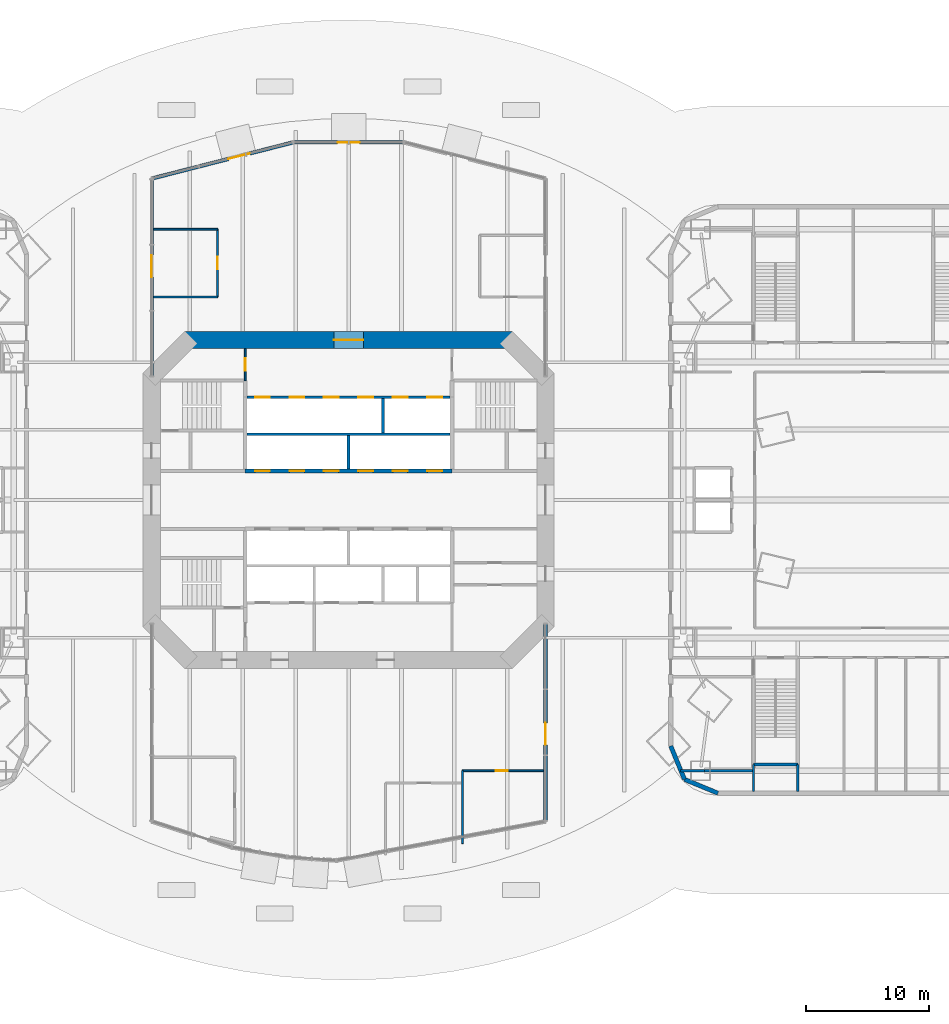
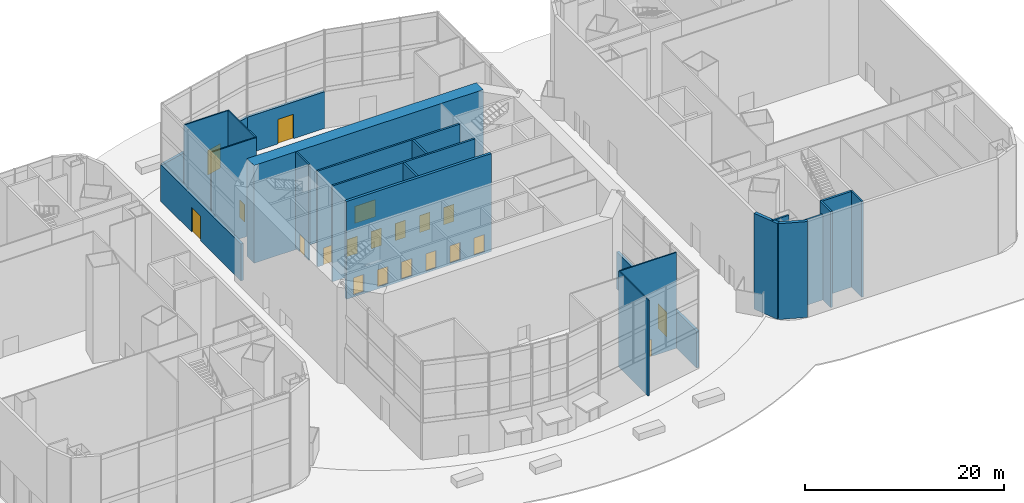
# One storey, part 14 of 23: 23 walls, 20 doors, 20 openings.
"""IFC4 building model written with IfcOpenShell, lengths in metres."""

from ifc_helpers import new_model, si_unit, direction, frame, frame_2d, origin, place, context, subcontext, project, spatial, rectangle, extrude, material, layer, layer_set, type_object, element, fill, save


model = new_model("IFC4")

# Units and contexts
model_context = context("Model", 3, precision=1e-05, world=origin(), true_north=direction((0.0, 1.0)))
body_context = subcontext(model_context, "Body", "Model", "MODEL_VIEW")
ifc_project = project(units=[si_unit("LENGTHUNIT", "METRE"), si_unit("AREAUNIT", "SQUARE_METRE"), si_unit("VOLUMEUNIT", "CUBIC_METRE"), si_unit("PLANEANGLEUNIT", "RADIAN"), si_unit("MASSUNIT", "GRAM", prefix="KILO")], contexts=[model_context])

# Site, building, storey
site_placement = place(None, origin())
site = spatial("IfcSite", under=ifc_project, at=site_placement, CompositionType="ELEMENT")
building_placement = place(site_placement, origin())
building = spatial("IfcBuilding", under=site, at=building_placement, Name="Marenthal Gate Tower", CompositionType="ELEMENT")
storey_placement = place(building_placement, origin())
storey = spatial("IfcBuildingStorey", under=building, at=storey_placement, Name="L00", CompositionType="ELEMENT", Elevation=0.0)

# Wall, opening, door
ifc_material_1 = material(Name="Concrete 60 MPa", Category="concrete")
ifc_layer_1 = layer(ifc_material_1, 1.39990234375)
ifc_layer_set_1 = layer_set([ifc_layer_1], Name="Core shear wall 1400")
wall_type_1 = type_object("IfcWallType", Name="Core shear wall 1400", PredefinedType="SHEAR", material=ifc_layer_set_1)
wall_1_placement = place(storey_placement, frame((13.289794921875, 13.0, -0.25), z_axis=(0.0, 0.0, 1.0), x_axis=(-1.0, 0.0, 0.0)))
wall_1 = element("IfcWall", 1, at=wall_1_placement, inside=storey, type_object=wall_type_1, Name="Core wall 04", PredefinedType="SHEAR", context=body_context, shape_type="SweptSolid", body=[
    extrude(rectangle(XDim=26.57958984375, YDim=1.39990234375, at=frame_2d((13.289794921875, 0.0))), origin(), (0.0, 0.0, 1.0), 12.0),
])
opening_1_placement = place(wall_1_placement, frame((12.08984375, 0.0, 0.25)))
opening_1 = element("IfcOpeningElement", 2, at=opening_1_placement, cuts=wall_1, Name="Opening D003.03", PredefinedType="OPENING", context=body_context, shape_type="SweptSolid", body=[
    extrude(rectangle(XDim=2.39990234375, YDim=2.10009765625, at=frame_2d((1.199951171875, 1.050048828125))), frame((0.0, 0.7099609375, 0.0), z_axis=(0.0, -1.0, 0.0), x_axis=(1.0, 0.0, 0.0)), (0.0, 0.0, 1.0), 1.419921875),
])
ifc_material_2 = material(Name="Steel fire door", Category="steel")
door_type_1 = type_object("IfcDoorType", Name="Double fire door FD 45 2400 x 2100", OperationType="DOUBLE_DOOR_SINGLE_SWING", PredefinedType="DOOR", material=ifc_material_2)
door_1_placement = place(opening_1_placement, origin())
door_1 = element("IfcDoor", 3, at=door_1_placement, inside=storey, type_object=door_type_1, Name="Door D003.03", OperationType="DOUBLE_DOOR_SINGLE_SWING", OverallHeight=2.10009765625, OverallWidth=2.39990234375, PredefinedType="DOOR", context=body_context, shape_type="SweptSolid", body=[
    extrude(rectangle(XDim=2.39990234375, YDim=2.10009765625, at=frame_2d((1.199951171875, 1.050048828125))), frame((0.0, 0.02490234375, 0.0), z_axis=(0.0, -1.0, 0.0), x_axis=(1.0, 0.0, 0.0)), (0.0, 0.0, 1.0), 0.050048828125),
])
fill(opening_1, door_1)

ifc_material_3 = material(Name="Terracotta cladding on insulated concrete-block backing", Category="masonry")
ifc_layer_2 = layer(ifc_material_3, 0.300048828125)
ifc_layer_set_2 = layer_set([ifc_layer_2], Name="Entrance portal wall 300")
wall_type_2 = type_object("IfcWallType", Name="Entrance portal wall 300", PredefinedType="SOLIDWALL", material=ifc_layer_set_2)
wall_2_placement = place(storey_placement, frame((-16.0, 26.117431640625, 0.0), z_axis=(0.0, 0.0, 1.0), x_axis=(0.968767439199, 0.247971064335, 0.0)))
wall_2 = element("IfcWall", 4, at=wall_2_placement, inside=storey, type_object=wall_type_2, Name="Entrance portal wall N1", PredefinedType="SOLIDWALL", context=body_context, shape_type="SweptSolid", body=[
    extrude(rectangle(XDim=11.870849609375, YDim=0.300048828125, at=frame_2d((5.935546875, 0.0))), origin(), (0.0, 0.0, 1.0), 4.5),
])
opening_2_placement = place(wall_2_placement, frame((6.430419921875, 0.0, 0.0)))
opening_2 = element("IfcOpeningElement", 5, at=opening_2_placement, cuts=wall_2, Name="Opening DE1-L00-01", PredefinedType="OPENING", context=body_context, shape_type="SweptSolid", body=[
    extrude(rectangle(XDim=1.800048828125, YDim=3.0, at=frame_2d((0.89990234375, 1.5))), frame((0.0, 0.16015625, 0.0), z_axis=(0.0, -1.0, 0.0), x_axis=(1.0, 0.0, 0.0)), (0.0, 0.0, 1.0), 0.320068359375),
])
ifc_material_4 = material(Name="Aluminium and glass", Category="aluminium")
door_type_2 = type_object("IfcDoorType", Name="Entrance door 1800x3000", OperationType="DOUBLE_DOOR_DOUBLE_SWING", PredefinedType="DOOR", material=ifc_material_4)
door_2_placement = place(opening_2_placement, origin())
door_2 = element("IfcDoor", 6, at=door_2_placement, inside=storey, type_object=door_type_2, Name="Exterior door DE1-L00-01 L00", OperationType="DOUBLE_DOOR_DOUBLE_SWING", OverallHeight=3.0, OverallWidth=1.800048828125, PredefinedType="DOOR", context=body_context, shape_type="SweptSolid", body=[
    extrude(rectangle(XDim=1.800048828125, YDim=3.0, at=frame_2d((0.89990234375, 1.5))), frame((0.0, 0.02490234375, 0.0), z_axis=(0.0, -1.0, 0.0), x_axis=(1.0, 0.0, 0.0)), (0.0, 0.0, 1.0), 0.050048828125),
])
fill(opening_2, door_2)

wall_3_placement = place(storey_placement, frame((-4.5, 29.06103515625, 0.0), z_axis=(0.0, 0.0, 1.0), x_axis=(1.0, 0.0, 0.0)))
wall_3 = element("IfcWall", 7, at=wall_3_placement, inside=storey, type_object=wall_type_2, Name="Entrance portal wall N2", PredefinedType="SOLIDWALL", context=body_context, shape_type="SweptSolid", body=[
    extrude(rectangle(XDim=9.0, YDim=0.300048828125, at=frame_2d((4.5, 0.0))), origin(), (0.0, 0.0, 1.0), 4.5),
])
opening_3_placement = place(wall_3_placement, frame((3.60009765625, 0.0, 0.0)))
opening_3 = element("IfcOpeningElement", 8, at=opening_3_placement, cuts=wall_3, Name="Opening DE1-L00-02", PredefinedType="OPENING", context=body_context, shape_type="SweptSolid", body=[
    extrude(rectangle(XDim=1.800048828125, YDim=3.0, at=frame_2d((0.89990234375, 1.5))), frame((0.0, 0.16015625, 0.0), z_axis=(0.0, -1.0, 0.0), x_axis=(1.0, 0.0, 0.0)), (0.0, 0.0, 1.0), 0.320068359375),
])
door_3_placement = place(opening_3_placement, origin())
door_3 = element("IfcDoor", 9, at=door_3_placement, inside=storey, type_object=door_type_2, Name="Exterior door DE1-L00-02 L00", OperationType="DOUBLE_DOOR_DOUBLE_SWING", OverallHeight=3.0, OverallWidth=1.800048828125, PredefinedType="DOOR", context=body_context, shape_type="SweptSolid", body=[
    extrude(rectangle(XDim=1.800048828125, YDim=3.0, at=frame_2d((0.89990234375, 1.5))), frame((0.0, 0.02490234375, 0.0), z_axis=(0.0, -1.0, 0.0), x_axis=(1.0, 0.0, 0.0)), (0.0, 0.0, 1.0), 0.050048828125),
])
fill(opening_3, door_3)

wall_4_placement = place(storey_placement, frame((-16.0, 10.0, 0.0), z_axis=(0.0, 0.0, 1.0), x_axis=(0.0, 1.0, 0.0)))
wall_4 = element("IfcWall", 10, at=wall_4_placement, inside=storey, type_object=wall_type_2, Name="Hall wall NW1", PredefinedType="SOLIDWALL", context=body_context, shape_type="SweptSolid", body=[
    extrude(rectangle(XDim=16.117431640625, YDim=0.300048828125, at=frame_2d((8.05859375, 0.0))), origin(), (0.0, 0.0, 1.0), 4.5),
])
opening_4_placement = place(wall_4_placement, frame((8.10009765625, 0.0, 0.0)))
opening_4 = element("IfcOpeningElement", 11, at=opening_4_placement, cuts=wall_4, Name="Opening DE1-L00-10", PredefinedType="OPENING", context=body_context, shape_type="SweptSolid", body=[
    extrude(rectangle(XDim=1.800048828125, YDim=3.0, at=frame_2d((0.89990234375, 1.5))), frame((0.0, 0.16015625, 0.0), z_axis=(0.0, -1.0, 0.0), x_axis=(1.0, 0.0, 0.0)), (0.0, 0.0, 1.0), 0.320068359375),
])
door_4_placement = place(opening_4_placement, origin())
door_4 = element("IfcDoor", 12, at=door_4_placement, inside=storey, type_object=door_type_2, Name="Exterior door DE1-L00-10 L00", OperationType="DOUBLE_DOOR_DOUBLE_SWING", OverallHeight=3.0, OverallWidth=1.800048828125, PredefinedType="DOOR", context=body_context, shape_type="SweptSolid", body=[
    extrude(rectangle(XDim=1.800048828125, YDim=3.0, at=frame_2d((0.89990234375, 1.5))), frame((0.0, 0.02490234375, 0.0), z_axis=(0.0, -1.0, 0.0), x_axis=(1.0, 0.0, 0.0)), (0.0, 0.0, 1.0), 0.050048828125),
])
fill(opening_4, door_4)

wall_5_placement = place(storey_placement, frame((16.0, -10.0, 0.0), z_axis=(0.0, 0.0, 1.0), x_axis=(0.0, -1.0, 0.0)))
wall_5 = element("IfcWall", 13, at=wall_5_placement, inside=storey, type_object=wall_type_2, Name="Hall wall SE1", PredefinedType="SOLIDWALL", context=body_context, shape_type="SweptSolid", body=[
    extrude(rectangle(XDim=16.117431640625, YDim=0.300048828125, at=frame_2d((8.05859375, 0.0))), origin(), (0.0, 0.0, 1.0), 4.5),
])
opening_5_placement = place(wall_5_placement, frame((8.10009765625, 0.0, 0.0)))
opening_5 = element("IfcOpeningElement", 14, at=opening_5_placement, cuts=wall_5, Name="Opening DE1-L00-09", PredefinedType="OPENING", context=body_context, shape_type="SweptSolid", body=[
    extrude(rectangle(XDim=1.800048828125, YDim=3.0, at=frame_2d((0.89990234375, 1.5))), frame((0.0, 0.16015625, 0.0), z_axis=(0.0, -1.0, 0.0), x_axis=(1.0, 0.0, 0.0)), (0.0, 0.0, 1.0), 0.320068359375),
])
door_5_placement = place(opening_5_placement, origin())
door_5 = element("IfcDoor", 15, at=door_5_placement, inside=storey, type_object=door_type_2, Name="Exterior door DE1-L00-09 L00", OperationType="DOUBLE_DOOR_DOUBLE_SWING", OverallHeight=3.0, OverallWidth=1.800048828125, PredefinedType="DOOR", context=body_context, shape_type="SweptSolid", body=[
    extrude(rectangle(XDim=1.800048828125, YDim=3.0, at=frame_2d((0.89990234375, 1.5))), frame((0.0, 0.02490234375, 0.0), z_axis=(0.0, -1.0, 0.0), x_axis=(1.0, 0.0, 0.0)), (0.0, 0.0, 1.0), 0.050048828125),
])
fill(opening_5, door_5)

# Wall, openings, doors
ifc_material_5 = material(Name="Concrete 50 MPa", Category="concrete")
ifc_layer_3 = layer(ifc_material_5, 0.300048828125)
ifc_layer_set_3 = layer_set([ifc_layer_3], Name="Hoistway shear wall 300")
wall_type_3 = type_object("IfcWallType", Name="Hoistway shear wall 300", PredefinedType="SHEAR", material=ifc_layer_set_3)
wall_6_placement = place(storey_placement, frame((-8.39990234375, 2.35009765625, -0.25), z_axis=(0.0, 0.0, 1.0), x_axis=(1.0, 0.0, 0.0)))
wall_6 = element("IfcWall", 16, at=wall_6_placement, inside=storey, type_object=wall_type_3, Name="Hoistway wall 20", PredefinedType="SHEAR", context=body_context, shape_type="SweptSolid", body=[
    extrude(rectangle(XDim=16.7998046875, YDim=0.300048828125, at=frame_2d((8.39990234375, 0.0))), origin(), (0.0, 0.0, 1.0), 12.0),
])
opening_6_placement = place(wall_6_placement, frame((0.800048828125, 0.0, 0.25)))
opening_6 = element("IfcOpeningElement", 17, at=opening_6_placement, cuts=wall_6, Name="Opening LD-LP1", PredefinedType="OPENING", context=body_context, shape_type="SweptSolid", body=[
    extrude(rectangle(XDim=1.199951171875, YDim=2.10009765625, at=frame_2d((0.60009765625, 1.050048828125))), frame((0.0, 0.16015625, 0.0), z_axis=(0.0, -1.0, 0.0), x_axis=(1.0, 0.0, 0.0)), (0.0, 0.0, 1.0), 0.320068359375),
])
opening_7_placement = place(wall_6_placement, frame((3.60009765625, 0.0, 0.25)))
opening_7 = element("IfcOpeningElement", 18, at=opening_7_placement, cuts=wall_6, Name="Opening LD-LP2", PredefinedType="OPENING", context=body_context, shape_type="SweptSolid", body=[
    extrude(rectangle(XDim=1.199951171875, YDim=2.10009765625, at=frame_2d((0.60009765625, 1.050048828125))), frame((0.0, 0.16015625, 0.0), z_axis=(0.0, -1.0, 0.0), x_axis=(1.0, 0.0, 0.0)), (0.0, 0.0, 1.0), 0.320068359375),
])
opening_8_placement = place(wall_6_placement, frame((6.39990234375, 0.0, 0.25)))
opening_8 = element("IfcOpeningElement", 19, at=opening_8_placement, cuts=wall_6, Name="Opening LD-LP3", PredefinedType="OPENING", context=body_context, shape_type="SweptSolid", body=[
    extrude(rectangle(XDim=1.199951171875, YDim=2.10009765625, at=frame_2d((0.60009765625, 1.050048828125))), frame((0.0, 0.16015625, 0.0), z_axis=(0.0, -1.0, 0.0), x_axis=(1.0, 0.0, 0.0)), (0.0, 0.0, 1.0), 0.320068359375),
])
opening_9_placement = place(wall_6_placement, frame((9.199951171875, 0.0, 0.25)))
opening_9 = element("IfcOpeningElement", 20, at=opening_9_placement, cuts=wall_6, Name="Opening LD-LP4", PredefinedType="OPENING", context=body_context, shape_type="SweptSolid", body=[
    extrude(rectangle(XDim=1.199951171875, YDim=2.10009765625, at=frame_2d((0.60009765625, 1.050048828125))), frame((0.0, 0.16015625, 0.0), z_axis=(0.0, -1.0, 0.0), x_axis=(1.0, 0.0, 0.0)), (0.0, 0.0, 1.0), 0.320068359375),
])
opening_10_placement = place(wall_6_placement, frame((12.0, 0.0, 0.25)))
opening_10 = element("IfcOpeningElement", 21, at=opening_10_placement, cuts=wall_6, Name="Opening LD-LP5", PredefinedType="OPENING", context=body_context, shape_type="SweptSolid", body=[
    extrude(rectangle(XDim=1.199951171875, YDim=2.10009765625, at=frame_2d((0.60009765625, 1.050048828125))), frame((0.0, 0.16015625, 0.0), z_axis=(0.0, -1.0, 0.0), x_axis=(1.0, 0.0, 0.0)), (0.0, 0.0, 1.0), 0.320068359375),
])
opening_11_placement = place(wall_6_placement, frame((14.800048828125, 0.0, 0.25)))
opening_11 = element("IfcOpeningElement", 22, at=opening_11_placement, cuts=wall_6, Name="Opening LD-LP6", PredefinedType="OPENING", context=body_context, shape_type="SweptSolid", body=[
    extrude(rectangle(XDim=1.199951171875, YDim=2.10009765625, at=frame_2d((0.60009765625, 1.050048828125))), frame((0.0, 0.16015625, 0.0), z_axis=(0.0, -1.0, 0.0), x_axis=(1.0, 0.0, 0.0)), (0.0, 0.0, 1.0), 0.320068359375),
])
ifc_material_6 = material(Name="Stainless steel sliding door", Category="steel")
door_type_3 = type_object("IfcDoorType", Name="Lift landing door FD 90 1200 x 2100", OperationType="DOUBLE_DOOR_SLIDING", PredefinedType="DOOR", material=ifc_material_6)
door_6_placement = place(opening_6_placement, origin())
door_6 = element("IfcDoor", 23, at=door_6_placement, inside=storey, type_object=door_type_3, Name="Lift landing door LP1", OperationType="DOUBLE_DOOR_SLIDING", OverallHeight=2.10009765625, OverallWidth=1.199951171875, PredefinedType="DOOR", context=body_context, shape_type="SweptSolid", body=[
    extrude(rectangle(XDim=1.199951171875, YDim=2.10009765625, at=frame_2d((0.60009765625, 1.050048828125))), frame((0.0, 0.02490234375, 0.0), z_axis=(0.0, -1.0, 0.0), x_axis=(1.0, 0.0, 0.0)), (0.0, 0.0, 1.0), 0.050048828125),
])
fill(opening_6, door_6)
door_7_placement = place(opening_7_placement, origin())
door_7 = element("IfcDoor", 24, at=door_7_placement, inside=storey, type_object=door_type_3, Name="Lift landing door LP2", OperationType="DOUBLE_DOOR_SLIDING", OverallHeight=2.10009765625, OverallWidth=1.199951171875, PredefinedType="DOOR", context=body_context, shape_type="SweptSolid", body=[
    extrude(rectangle(XDim=1.199951171875, YDim=2.10009765625, at=frame_2d((0.60009765625, 1.050048828125))), frame((0.0, 0.02490234375, 0.0), z_axis=(0.0, -1.0, 0.0), x_axis=(1.0, 0.0, 0.0)), (0.0, 0.0, 1.0), 0.050048828125),
])
fill(opening_7, door_7)
door_8_placement = place(opening_8_placement, origin())
door_8 = element("IfcDoor", 25, at=door_8_placement, inside=storey, type_object=door_type_3, Name="Lift landing door LP3", OperationType="DOUBLE_DOOR_SLIDING", OverallHeight=2.10009765625, OverallWidth=1.199951171875, PredefinedType="DOOR", context=body_context, shape_type="SweptSolid", body=[
    extrude(rectangle(XDim=1.199951171875, YDim=2.10009765625, at=frame_2d((0.60009765625, 1.050048828125))), frame((0.0, 0.02490234375, 0.0), z_axis=(0.0, -1.0, 0.0), x_axis=(1.0, 0.0, 0.0)), (0.0, 0.0, 1.0), 0.050048828125),
])
fill(opening_8, door_8)
door_9_placement = place(opening_9_placement, origin())
door_9 = element("IfcDoor", 26, at=door_9_placement, inside=storey, type_object=door_type_3, Name="Lift landing door LP4", OperationType="DOUBLE_DOOR_SLIDING", OverallHeight=2.10009765625, OverallWidth=1.199951171875, PredefinedType="DOOR", context=body_context, shape_type="SweptSolid", body=[
    extrude(rectangle(XDim=1.199951171875, YDim=2.10009765625, at=frame_2d((0.60009765625, 1.050048828125))), frame((0.0, 0.02490234375, 0.0), z_axis=(0.0, -1.0, 0.0), x_axis=(1.0, 0.0, 0.0)), (0.0, 0.0, 1.0), 0.050048828125),
])
fill(opening_9, door_9)
door_10_placement = place(opening_10_placement, origin())
door_10 = element("IfcDoor", 27, at=door_10_placement, inside=storey, type_object=door_type_3, Name="Lift landing door LP5", OperationType="DOUBLE_DOOR_SLIDING", OverallHeight=2.10009765625, OverallWidth=1.199951171875, PredefinedType="DOOR", context=body_context, shape_type="SweptSolid", body=[
    extrude(rectangle(XDim=1.199951171875, YDim=2.10009765625, at=frame_2d((0.60009765625, 1.050048828125))), frame((0.0, 0.02490234375, 0.0), z_axis=(0.0, -1.0, 0.0), x_axis=(1.0, 0.0, 0.0)), (0.0, 0.0, 1.0), 0.050048828125),
])
fill(opening_10, door_10)
door_11_placement = place(opening_11_placement, origin())
door_11 = element("IfcDoor", 28, at=door_11_placement, inside=storey, type_object=door_type_3, Name="Lift landing door LP6", OperationType="DOUBLE_DOOR_SLIDING", OverallHeight=2.10009765625, OverallWidth=1.199951171875, PredefinedType="DOOR", context=body_context, shape_type="SweptSolid", body=[
    extrude(rectangle(XDim=1.199951171875, YDim=2.10009765625, at=frame_2d((0.60009765625, 1.050048828125))), frame((0.0, 0.02490234375, 0.0), z_axis=(0.0, -1.0, 0.0), x_axis=(1.0, 0.0, 0.0)), (0.0, 0.0, 1.0), 0.050048828125),
])
fill(opening_11, door_11)

# Wall
ifc_material_7 = material(Name="Concrete 40 MPa", Category="concrete")
ifc_layer_4 = layer(ifc_material_7, 0.219970703125)
ifc_layer_set_4 = layer_set([ifc_layer_4], Name="Hoistway wall 220")
wall_type_4 = type_object("IfcWallType", Name="Hoistway wall 220", PredefinedType="STANDARD", material=ifc_layer_set_4)
wall_7_placement = place(storey_placement, frame((-8.25, 5.35009765625, 0.0), z_axis=(0.0, 0.0, 1.0), x_axis=(1.0, 0.0, 0.0)))
element("IfcWall", 29, at=wall_7_placement, inside=storey, type_object=wall_type_4, Name="Hoistway wall 22", PredefinedType="STANDARD", context=body_context, shape_type="SweptSolid", body=[
    extrude(rectangle(XDim=16.5, YDim=0.219970703125, at=frame_2d((8.25, 0.0))), origin(), (0.0, 0.0, 1.0), 11.75),
])

# Wall, openings, doors
wall_8_placement = place(storey_placement, frame((-8.25, 8.35009765625, 0.0), z_axis=(0.0, 0.0, 1.0), x_axis=(1.0, 0.0, 0.0)))
wall_8 = element("IfcWall", 30, at=wall_8_placement, inside=storey, type_object=wall_type_4, Name="Hoistway wall 25", PredefinedType="STANDARD", context=body_context, shape_type="SweptSolid", body=[
    extrude(rectangle(XDim=16.5, YDim=0.219970703125, at=frame_2d((8.25, 0.0))), origin(), (0.0, 0.0, 1.0), 11.75),
])
opening_12_placement = place(wall_8_placement, frame((0.64990234375, 0.0, 0.0)))
opening_12 = element("IfcOpeningElement", 31, at=opening_12_placement, cuts=wall_8, Name="Opening LD-SH1", PredefinedType="OPENING", context=body_context, shape_type="SweptSolid", body=[
    extrude(rectangle(XDim=1.199951171875, YDim=2.10009765625, at=frame_2d((0.60009765625, 1.050048828125))), frame((0.0, 0.1201171875, 0.0), z_axis=(0.0, -1.0, 0.0), x_axis=(1.0, 0.0, 0.0)), (0.0, 0.0, 1.0), 0.239990234375),
])
opening_13_placement = place(wall_8_placement, frame((3.449951171875, 0.0, 0.0)))
opening_13 = element("IfcOpeningElement", 32, at=opening_13_placement, cuts=wall_8, Name="Opening LD-SH2", PredefinedType="OPENING", context=body_context, shape_type="SweptSolid", body=[
    extrude(rectangle(XDim=1.199951171875, YDim=2.10009765625, at=frame_2d((0.60009765625, 1.050048828125))), frame((0.0, 0.1201171875, 0.0), z_axis=(0.0, -1.0, 0.0), x_axis=(1.0, 0.0, 0.0)), (0.0, 0.0, 1.0), 0.239990234375),
])
opening_14_placement = place(wall_8_placement, frame((6.25, 0.0, 0.0)))
opening_14 = element("IfcOpeningElement", 33, at=opening_14_placement, cuts=wall_8, Name="Opening LD-SH3", PredefinedType="OPENING", context=body_context, shape_type="SweptSolid", body=[
    extrude(rectangle(XDim=1.199951171875, YDim=2.10009765625, at=frame_2d((0.60009765625, 1.050048828125))), frame((0.0, 0.1201171875, 0.0), z_axis=(0.0, -1.0, 0.0), x_axis=(1.0, 0.0, 0.0)), (0.0, 0.0, 1.0), 0.239990234375),
])
opening_15_placement = place(wall_8_placement, frame((9.050048828125, 0.0, 0.0)))
opening_15 = element("IfcOpeningElement", 34, at=opening_15_placement, cuts=wall_8, Name="Opening LD-SH4", PredefinedType="OPENING", context=body_context, shape_type="SweptSolid", body=[
    extrude(rectangle(XDim=1.199951171875, YDim=2.10009765625, at=frame_2d((0.60009765625, 1.050048828125))), frame((0.0, 0.1201171875, 0.0), z_axis=(0.0, -1.0, 0.0), x_axis=(1.0, 0.0, 0.0)), (0.0, 0.0, 1.0), 0.239990234375),
])
opening_16_placement = place(wall_8_placement, frame((11.85009765625, 0.0, 0.0)))
opening_16 = element("IfcOpeningElement", 35, at=opening_16_placement, cuts=wall_8, Name="Opening LD-OB1", PredefinedType="OPENING", context=body_context, shape_type="SweptSolid", body=[
    extrude(rectangle(XDim=1.199951171875, YDim=2.10009765625, at=frame_2d((0.60009765625, 1.050048828125))), frame((0.0, 0.1201171875, 0.0), z_axis=(0.0, -1.0, 0.0), x_axis=(1.0, 0.0, 0.0)), (0.0, 0.0, 1.0), 0.239990234375),
])
opening_17_placement = place(wall_8_placement, frame((14.64990234375, 0.0, 0.0)))
opening_17 = element("IfcOpeningElement", 36, at=opening_17_placement, cuts=wall_8, Name="Opening LD-OB2", PredefinedType="OPENING", context=body_context, shape_type="SweptSolid", body=[
    extrude(rectangle(XDim=1.199951171875, YDim=2.10009765625, at=frame_2d((0.60009765625, 1.050048828125))), frame((0.0, 0.1201171875, 0.0), z_axis=(0.0, -1.0, 0.0), x_axis=(1.0, 0.0, 0.0)), (0.0, 0.0, 1.0), 0.239990234375),
])
door_12_placement = place(opening_12_placement, origin())
door_12 = element("IfcDoor", 37, at=door_12_placement, inside=storey, type_object=door_type_3, Name="Lift landing door SH1", OperationType="DOUBLE_DOOR_SLIDING", OverallHeight=2.10009765625, OverallWidth=1.199951171875, PredefinedType="DOOR", context=body_context, shape_type="SweptSolid", body=[
    extrude(rectangle(XDim=1.199951171875, YDim=2.10009765625, at=frame_2d((0.60009765625, 1.050048828125))), frame((0.0, 0.02490234375, 0.0), z_axis=(0.0, -1.0, 0.0), x_axis=(1.0, 0.0, 0.0)), (0.0, 0.0, 1.0), 0.050048828125),
])
fill(opening_12, door_12)
door_13_placement = place(opening_13_placement, origin())
door_13 = element("IfcDoor", 38, at=door_13_placement, inside=storey, type_object=door_type_3, Name="Lift landing door SH2", OperationType="DOUBLE_DOOR_SLIDING", OverallHeight=2.10009765625, OverallWidth=1.199951171875, PredefinedType="DOOR", context=body_context, shape_type="SweptSolid", body=[
    extrude(rectangle(XDim=1.199951171875, YDim=2.10009765625, at=frame_2d((0.60009765625, 1.050048828125))), frame((0.0, 0.02490234375, 0.0), z_axis=(0.0, -1.0, 0.0), x_axis=(1.0, 0.0, 0.0)), (0.0, 0.0, 1.0), 0.050048828125),
])
fill(opening_13, door_13)
door_14_placement = place(opening_14_placement, origin())
door_14 = element("IfcDoor", 39, at=door_14_placement, inside=storey, type_object=door_type_3, Name="Lift landing door SH3", OperationType="DOUBLE_DOOR_SLIDING", OverallHeight=2.10009765625, OverallWidth=1.199951171875, PredefinedType="DOOR", context=body_context, shape_type="SweptSolid", body=[
    extrude(rectangle(XDim=1.199951171875, YDim=2.10009765625, at=frame_2d((0.60009765625, 1.050048828125))), frame((0.0, 0.02490234375, 0.0), z_axis=(0.0, -1.0, 0.0), x_axis=(1.0, 0.0, 0.0)), (0.0, 0.0, 1.0), 0.050048828125),
])
fill(opening_14, door_14)
door_15_placement = place(opening_15_placement, origin())
door_15 = element("IfcDoor", 40, at=door_15_placement, inside=storey, type_object=door_type_3, Name="Lift landing door SH4", OperationType="DOUBLE_DOOR_SLIDING", OverallHeight=2.10009765625, OverallWidth=1.199951171875, PredefinedType="DOOR", context=body_context, shape_type="SweptSolid", body=[
    extrude(rectangle(XDim=1.199951171875, YDim=2.10009765625, at=frame_2d((0.60009765625, 1.050048828125))), frame((0.0, 0.02490234375, 0.0), z_axis=(0.0, -1.0, 0.0), x_axis=(1.0, 0.0, 0.0)), (0.0, 0.0, 1.0), 0.050048828125),
])
fill(opening_15, door_15)
door_16_placement = place(opening_16_placement, origin())
door_16 = element("IfcDoor", 41, at=door_16_placement, inside=storey, type_object=door_type_3, Name="Lift landing door OB1", OperationType="DOUBLE_DOOR_SLIDING", OverallHeight=2.10009765625, OverallWidth=1.199951171875, PredefinedType="DOOR", context=body_context, shape_type="SweptSolid", body=[
    extrude(rectangle(XDim=1.199951171875, YDim=2.10009765625, at=frame_2d((0.60009765625, 1.050048828125))), frame((0.0, 0.02490234375, 0.0), z_axis=(0.0, -1.0, 0.0), x_axis=(1.0, 0.0, 0.0)), (0.0, 0.0, 1.0), 0.050048828125),
])
fill(opening_16, door_16)
door_17_placement = place(opening_17_placement, origin())
door_17 = element("IfcDoor", 42, at=door_17_placement, inside=storey, type_object=door_type_3, Name="Lift landing door OB2", OperationType="DOUBLE_DOOR_SLIDING", OverallHeight=2.10009765625, OverallWidth=1.199951171875, PredefinedType="DOOR", context=body_context, shape_type="SweptSolid", body=[
    extrude(rectangle(XDim=1.199951171875, YDim=2.10009765625, at=frame_2d((0.60009765625, 1.050048828125))), frame((0.0, 0.02490234375, 0.0), z_axis=(0.0, -1.0, 0.0), x_axis=(1.0, 0.0, 0.0)), (0.0, 0.0, 1.0), 0.050048828125),
])
fill(opening_17, door_17)

# Walls
wall_9_placement = place(storey_placement, frame((0.0, 2.5, 0.0), z_axis=(0.0, 0.0, 1.0), x_axis=(0.0, 1.0, 0.0)))
element("IfcWall", 43, at=wall_9_placement, inside=storey, type_object=wall_type_4, Name="Hoistway wall 38", PredefinedType="STANDARD", context=body_context, shape_type="SweptSolid", body=[
    extrude(rectangle(XDim=2.739990234375, YDim=0.219970703125, at=frame_2d((1.3701171875, 0.0))), origin(), (0.0, 0.0, 1.0), 11.75),
])
wall_10_placement = place(storey_placement, frame((2.800048828125, 5.4599609375, 0.0), z_axis=(0.0, 0.0, 1.0), x_axis=(0.0, 1.0, 0.0)))
element("IfcWall", 44, at=wall_10_placement, inside=storey, type_object=wall_type_4, Name="Hoistway wall 40", PredefinedType="STANDARD", context=body_context, shape_type="SweptSolid", body=[
    extrude(rectangle(XDim=2.780029296875, YDim=0.219970703125, at=frame_2d((1.39013671875, 0.0))), origin(), (0.0, 0.0, 1.0), 11.75),
])

# Wall, opening, door
ifc_material_8 = material(Name="Gypsum board on steel studs", Category="steel")
ifc_layer_5 = layer(ifc_material_8, 0.14990234375)
ifc_layer_set_5 = layer_set([ifc_layer_5], Name="Partition 150")
wall_type_5 = type_object("IfcWallType", Name="Partition 150", PredefinedType="PARTITIONING", material=ifc_layer_set_5)
wall_11_placement = place(storey_placement, frame((-8.39990234375, 9.699951171875, 0.0), z_axis=(0.0, 0.0, 1.0), x_axis=(0.0, 1.0, 0.0)))
wall_11 = element("IfcWall", 45, at=wall_11_placement, inside=storey, type_object=wall_type_5, Name="Partition wall 34", PredefinedType="PARTITIONING", context=body_context, shape_type="SweptSolid", body=[
    extrude(rectangle(XDim=2.60009765625, YDim=0.14990234375, at=frame_2d((1.300048828125, 0.0))), origin(), (0.0, 0.0, 1.0), 11.75),
])
opening_18_placement = place(wall_11_placement, frame((0.800048828125, 0.0, 0.0)))
opening_18 = element("IfcOpeningElement", 46, at=opening_18_placement, cuts=wall_11, Name="Opening D005.01", PredefinedType="OPENING", context=body_context, shape_type="SweptSolid", body=[
    extrude(rectangle(XDim=1.0, YDim=2.10009765625, at=frame_2d((0.5, 1.050048828125))), frame((0.0, 0.0849609375, 0.0), z_axis=(0.0, -1.0, 0.0), x_axis=(1.0, 0.0, 0.0)), (0.0, 0.0, 1.0), 0.169921875),
])
ifc_material_9 = material(Name="Steel fire door", Category="steel")
door_type_4 = type_object("IfcDoorType", Name="Fire door FD 45 1000 x 2100", OperationType="NOTDEFINED", PredefinedType="DOOR", material=ifc_material_9)
door_18_placement = place(opening_18_placement, origin())
door_18 = element("IfcDoor", 47, at=door_18_placement, inside=storey, type_object=door_type_4, Name="Door D005.01", OperationType="SINGLE_SWING_RIGHT", OverallHeight=2.10009765625, OverallWidth=1.0, PredefinedType="DOOR", context=body_context, shape_type="SweptSolid", body=[
    extrude(rectangle(XDim=1.0, YDim=2.10009765625, at=frame_2d((0.5, 1.050048828125))), frame((0.0, 0.02490234375, 0.0), z_axis=(0.0, -1.0, 0.0), x_axis=(1.0, 0.0, 0.0)), (0.0, 0.0, 1.0), 0.050048828125),
])
fill(opening_18, door_18)

wall_12_placement = place(storey_placement, frame((9.25, -22.0, 0.0), z_axis=(0.0, 0.0, 1.0), x_axis=(1.0, 0.0, 0.0)))
wall_12 = element("IfcWall", 48, at=wall_12_placement, inside=storey, type_object=wall_type_5, Name="Partition wall 72", PredefinedType="PARTITIONING", context=body_context, shape_type="SweptSolid", body=[
    extrude(rectangle(XDim=6.60009765625, YDim=0.14990234375, at=frame_2d((3.300048828125, 0.0))), origin(), (0.0, 0.0, 1.0), 11.75),
])
opening_19_placement = place(wall_12_placement, frame((2.699951171875, 0.0, 0.0)))
opening_19 = element("IfcOpeningElement", 49, at=opening_19_placement, cuts=wall_12, Name="Opening D012.03", PredefinedType="OPENING", context=body_context, shape_type="SweptSolid", body=[
    extrude(rectangle(XDim=1.0, YDim=2.10009765625, at=frame_2d((0.5, 1.050048828125))), frame((0.0, 0.0849609375, 0.0), z_axis=(0.0, -1.0, 0.0), x_axis=(1.0, 0.0, 0.0)), (0.0, 0.0, 1.0), 0.169921875),
])
ifc_material_10 = material(Name="Timber door", Category="wood")
door_type_5 = type_object("IfcDoorType", Name="Door 1000 x 2100", OperationType="NOTDEFINED", PredefinedType="DOOR", material=ifc_material_10)
door_19_placement = place(opening_19_placement, frame((1.0, 0.0, 0.0), z_axis=(0.0, 0.0, 1.0), x_axis=(-1.0, 0.0, 0.0)))
door_19 = element("IfcDoor", 50, at=door_19_placement, inside=storey, type_object=door_type_5, Name="Door D012.03", OperationType="SINGLE_SWING_LEFT", OverallHeight=2.10009765625, OverallWidth=1.0, PredefinedType="DOOR", context=body_context, shape_type="SweptSolid", body=[
    extrude(rectangle(XDim=1.0, YDim=2.10009765625, at=frame_2d((0.5, 1.050048828125))), frame((0.0, 0.02490234375, 0.0), z_axis=(0.0, -1.0, 0.0), x_axis=(1.0, 0.0, 0.0)), (0.0, 0.0, 1.0), 0.050048828125),
])
fill(opening_19, door_19)

# Walls
for number, where, z_axis, x_axis, name in (
    (51, (-15.85009765625, 16.5, 0.0), (0.0, 0.0, 1.0), (1.0, 0.0, 0.0), "Partition wall 86"),
    (52, (-15.85009765625, 22.0, 0.0), (0.0, 0.0, 1.0), (1.0, 0.0, 0.0), "Partition wall 89"),
):
    element("IfcWall", number, at=place(storey_placement, frame(where, z_axis=z_axis, x_axis=x_axis)), inside=storey, type_object=wall_type_5, Name=name, PredefinedType="PARTITIONING", context=body_context, shape_type="SweptSolid", body=[
        extrude(rectangle(XDim=5.2001953125, YDim=0.14990234375, at=frame_2d((2.60009765625, 0.0))), origin(), (0.0, 0.0, 1.0), 11.75),
    ])
wall_13_placement = place(storey_placement, frame((9.25, -27.912109375, 0.0), z_axis=(0.0, 0.0, 1.0), x_axis=(0.0, 1.0, 0.0)))
element("IfcWall", 53, at=wall_13_placement, inside=storey, type_object=wall_type_5, Name="Partition wall 94", PredefinedType="PARTITIONING", context=body_context, shape_type="SweptSolid", body=[
    extrude(rectangle(XDim=5.912109375, YDim=0.14990234375, at=frame_2d((2.9560546875, 0.0))), origin(), (0.0, 0.0, 1.0), 11.75),
])

# Wall, opening, door
wall_14_placement = place(storey_placement, frame((-10.64990234375, 16.5, 0.0), z_axis=(0.0, 0.0, 1.0), x_axis=(0.0, 1.0, 0.0)))
wall_14 = element("IfcWall", 54, at=wall_14_placement, inside=storey, type_object=wall_type_5, Name="Partition wall 96", PredefinedType="PARTITIONING", context=body_context, shape_type="SweptSolid", body=[
    extrude(rectangle(XDim=5.5, YDim=0.14990234375, at=frame_2d((2.75, 0.0))), origin(), (0.0, 0.0, 1.0), 11.75),
])
opening_20_placement = place(wall_14_placement, frame((2.25, 0.0, 0.0)))
opening_20 = element("IfcOpeningElement", 55, at=opening_20_placement, cuts=wall_14, Name="Opening D012.01", PredefinedType="OPENING", context=body_context, shape_type="SweptSolid", body=[
    extrude(rectangle(XDim=1.0, YDim=2.10009765625, at=frame_2d((0.5, 1.050048828125))), frame((0.0, 0.0849609375, 0.0), z_axis=(0.0, -1.0, 0.0), x_axis=(1.0, 0.0, 0.0)), (0.0, 0.0, 1.0), 0.169921875),
])
door_20_placement = place(opening_20_placement, origin())
door_20 = element("IfcDoor", 56, at=door_20_placement, inside=storey, type_object=door_type_5, Name="Door D012.01", OperationType="SINGLE_SWING_RIGHT", OverallHeight=2.10009765625, OverallWidth=1.0, PredefinedType="DOOR", context=body_context, shape_type="SweptSolid", body=[
    extrude(rectangle(XDim=1.0, YDim=2.10009765625, at=frame_2d((0.5, 1.050048828125))), frame((0.0, 0.02490234375, 0.0), z_axis=(0.0, -1.0, 0.0), x_axis=(1.0, 0.0, 0.0)), (0.0, 0.0, 1.0), 0.050048828125),
])
fill(opening_20, door_20)

# Walls
ifc_material_11 = material(Name="Gypsum board on steel studs", Category="steel")
ifc_layer_6 = layer(ifc_material_11, 0.199951171875)
ifc_layer_set_6 = layer_set([ifc_layer_6], Name="Partition 200")
wall_type_6 = type_object("IfcWallType", Name="Partition 200", PredefinedType="PARTITIONING", material=ifc_layer_set_6)
wall_15_placement = place(storey_placement, frame((26.951904296875, -22.0, 0.0), z_axis=(0.0, 0.0, 1.0), x_axis=(1.0, 0.0, 0.0)))
element("IfcWall", 57, at=wall_15_placement, inside=storey, type_object=wall_type_6, Name="Partition wall 00", PredefinedType="PARTITIONING", context=body_context, shape_type="SweptSolid", body=[
    extrude(rectangle(XDim=1.947998046875, YDim=0.199951171875, at=frame_2d((0.97412109375, 0.0))), origin(), (0.0, 0.0, 1.0), 11.75),
])
wall_16_placement = place(storey_placement, frame((28.89990234375, -22.0, 0.0), z_axis=(0.0, 0.0, 1.0), x_axis=(1.0, 0.0, 0.0)))
element("IfcWall", 58, at=wall_16_placement, inside=storey, type_object=wall_type_6, Name="Partition wall 175", PredefinedType="PARTITIONING", context=body_context, shape_type="SweptSolid", body=[
    extrude(rectangle(XDim=4.0, YDim=0.199951171875, at=frame_2d((2.0, 0.0))), origin(), (0.0, 0.0, 1.0), 10.449951171875),
])
for number, where, z_axis, x_axis, name in (
    (59, (36.5, -23.669921875, 0.0), (0.0, 0.0, 1.0), (0.0, 1.0, 0.0), "Partition wall 29"),
    (60, (32.89990234375, -23.669921875, 0.0), (0.0, 0.0, 1.0), (0.0, 1.0, 0.0), "Partition wall 31"),
):
    element("IfcWall", number, at=place(storey_placement, frame(where, z_axis=z_axis, x_axis=x_axis)), inside=storey, type_object=wall_type_6, Name=name, PredefinedType="PARTITIONING", context=body_context, shape_type="SweptSolid", body=[
        extrude(rectangle(XDim=2.173828125, YDim=0.199951171875, at=frame_2d((1.0869140625, 0.0))), origin(), (0.0, 0.0, 1.0), 11.75),
    ])
ifc_material_12 = material(Name="Concrete 50 MPa", Category="concrete")
ifc_layer_7 = layer(ifc_material_12, 0.25)
ifc_layer_set_7 = layer_set([ifc_layer_7], Name="Stair shear wall 250")
wall_type_7 = type_object("IfcWallType", Name="Stair shear wall 250", PredefinedType="SHEAR", material=ifc_layer_set_7)
wall_17_placement = place(storey_placement, frame((32.89990234375, -21.5, 0.0), z_axis=(0.0, 0.0, 1.0), x_axis=(1.0, 0.0, 0.0)))
element("IfcWall", 61, at=wall_17_placement, inside=storey, type_object=wall_type_7, Name="Stair wall 46", PredefinedType="SHEAR", context=body_context, shape_type="SweptSolid", body=[
    extrude(rectangle(XDim=3.60009765625, YDim=0.25, at=frame_2d((1.800048828125, 0.0))), origin(), (0.0, 0.0, 1.0), 11.75),
])
ifc_material_13 = material(Name="Terracotta cladding on insulated concrete-block backing", Category="masonry")
ifc_layer_8 = layer(ifc_material_13, 0.35009765625)
ifc_layer_set_8 = layer_set([ifc_layer_8], Name="Terracotta cladding wall 350")
wall_type_8 = type_object("IfcWallType", Name="Terracotta cladding wall 350", PredefinedType="SOLIDWALL", material=ifc_layer_set_8)
for number, where, z_axis, x_axis, name in (
    (62, (26.175048828125, -19.988525390625, 0.0), (0.0, 0.0, 1.0), (0.381727741993, -0.924274813566, 0.0), "Terracotta cladding wall L00 E10"),
    (63, (27.29638671875, -22.70361328125, 0.0), (0.0, 0.0, 1.0), (0.924274813566, -0.381727741993, 0.0), "Terracotta cladding wall L00 E11"),
):
    element("IfcWall", number, at=place(storey_placement, frame(where, z_axis=z_axis, x_axis=x_axis)), inside=storey, type_object=wall_type_8, Name=name, PredefinedType="SOLIDWALL", context=body_context, shape_type="SweptSolid", body=[
        extrude(rectangle(XDim=2.9375, YDim=0.35009765625, at=frame_2d((1.46875, 0.0))), origin(), (0.0, 0.0, 1.0), 11.75),
    ])

save(model, "model.ifc")
